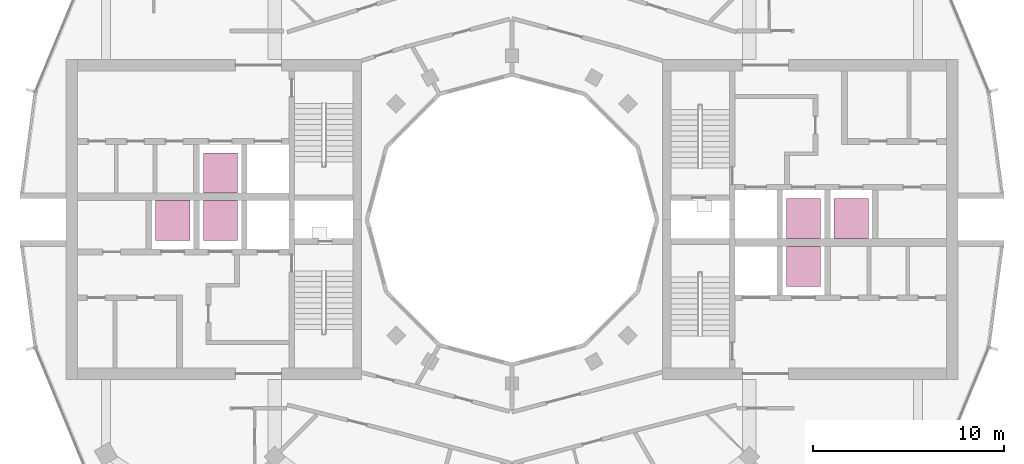
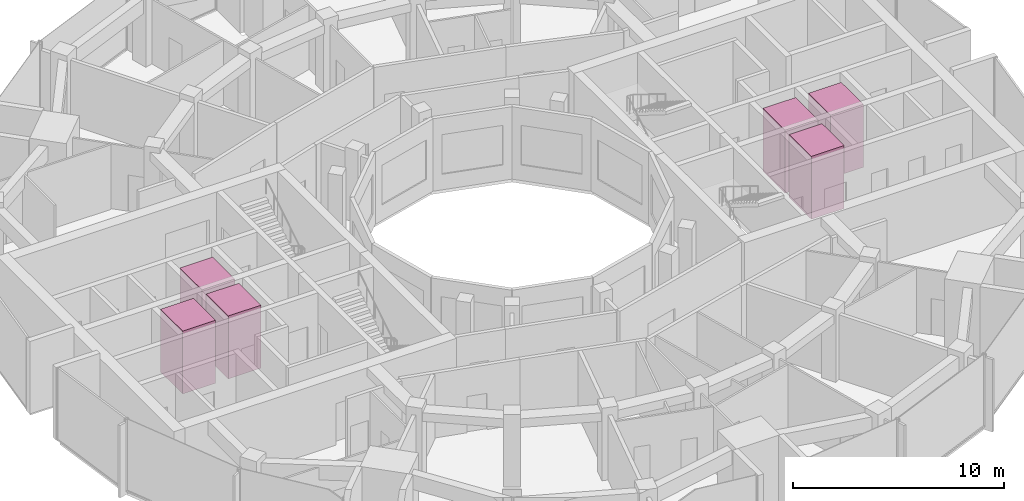
# One storey, part 15 of 15: 6 transport elements.
"""IFC4 building model written with IfcOpenShell, lengths in metres."""

from ifc_helpers import new_model, si_unit, direction, frame, origin, origin_2d, place, context, subcontext, project, spatial, rectangle, extrude, material, type_object, element, save


model = new_model("IFC4")

# Units and contexts
model_context = context("Model", 3, precision=1e-05, world=origin(), true_north=direction((0.0, 1.0)))
body_context = subcontext(model_context, "Body", "Model", "MODEL_VIEW")
ifc_project = project(units=[si_unit("LENGTHUNIT", "METRE"), si_unit("AREAUNIT", "SQUARE_METRE"), si_unit("VOLUMEUNIT", "CUBIC_METRE"), si_unit("PLANEANGLEUNIT", "RADIAN"), si_unit("MASSUNIT", "GRAM", prefix="KILO")], contexts=[model_context])

# Site, building, storey
site_placement = place(None, origin())
site = spatial("IfcSite", under=ifc_project, at=site_placement, CompositionType="ELEMENT")
building_placement = place(site_placement, origin())
building = spatial("IfcBuilding", under=site, at=building_placement, Name="Torre Brocal", CompositionType="ELEMENT")
storey_placement = place(building_placement, frame((0.0, 0.0, 262.5)))
storey = spatial("IfcBuildingStorey", under=building, at=storey_placement, Name="L60", CompositionType="ELEMENT", Elevation=262.5)

# Transport elements
ifc_material = material(Name="Stainless steel AISI 316", Category="steel")
transport_element_type = type_object("IfcTransportElementType", Name="PASSENGER LIFT", PredefinedType="ELEVATOR", material=ifc_material)
for number, where, z_axis, x_axis, name in (
    (1, (95.300048828125, 75.050048828125, 0.0), (0.0, 0.0, 1.0), (1.0, 0.0, 0.0), "HIGH RISE LIFT E-HR1"),
    (2, (95.300048828125, 72.550048828125, 0.0), (0.0, 0.0, 1.0), (1.0, 0.0, 0.0), "HIGH RISE LIFT E-HR2"),
    (3, (97.800048828125, 75.050048828125, 0.0), (0.0, 0.0, 1.0), (1.0, 0.0, 0.0), "HIGH RISE LIFT E-HR3"),
    (4, (64.699951171875, 74.949951171875, 0.0), (0.0, 0.0, 1.0), (1.0, 0.0, 0.0), "HIGH RISE LIFT W-HR1"),
    (5, (64.699951171875, 77.449951171875, 0.0), (0.0, 0.0, 1.0), (1.0, 0.0, 0.0), "HIGH RISE LIFT W-HR2"),
    (6, (62.199951171875, 74.949951171875, 0.0), (0.0, 0.0, 1.0), (1.0, 0.0, 0.0), "HIGH RISE LIFT W-HR3"),
):
    element("IfcTransportElement", number, at=place(storey_placement, frame(where, z_axis=z_axis, x_axis=x_axis)), inside=storey, type_object=transport_element_type, Name=name, PredefinedType="ELEVATOR", context=body_context, shape_type="SweptSolid", body=[
        extrude(rectangle(XDim=1.800048828125, YDim=2.10009765625, at=origin_2d()), origin(), (0.0, 0.0, 1.0), 3.64990234375),
    ])

save(model, "model.ifc")
